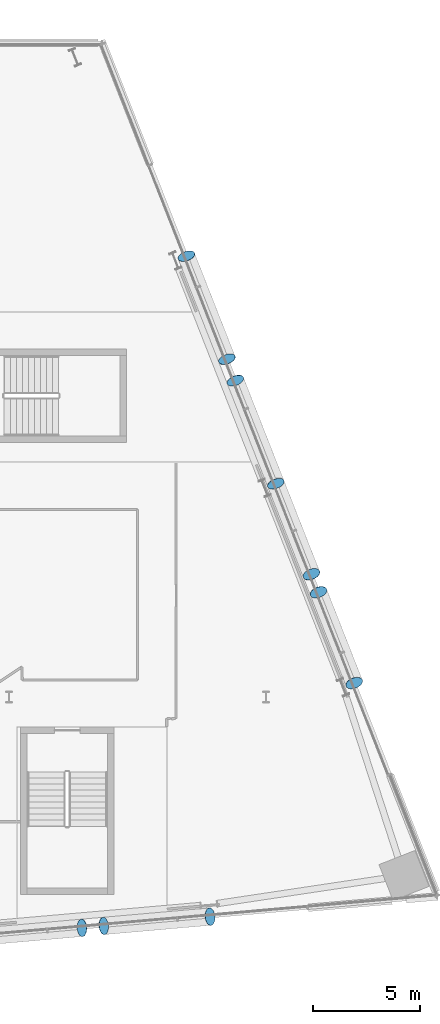
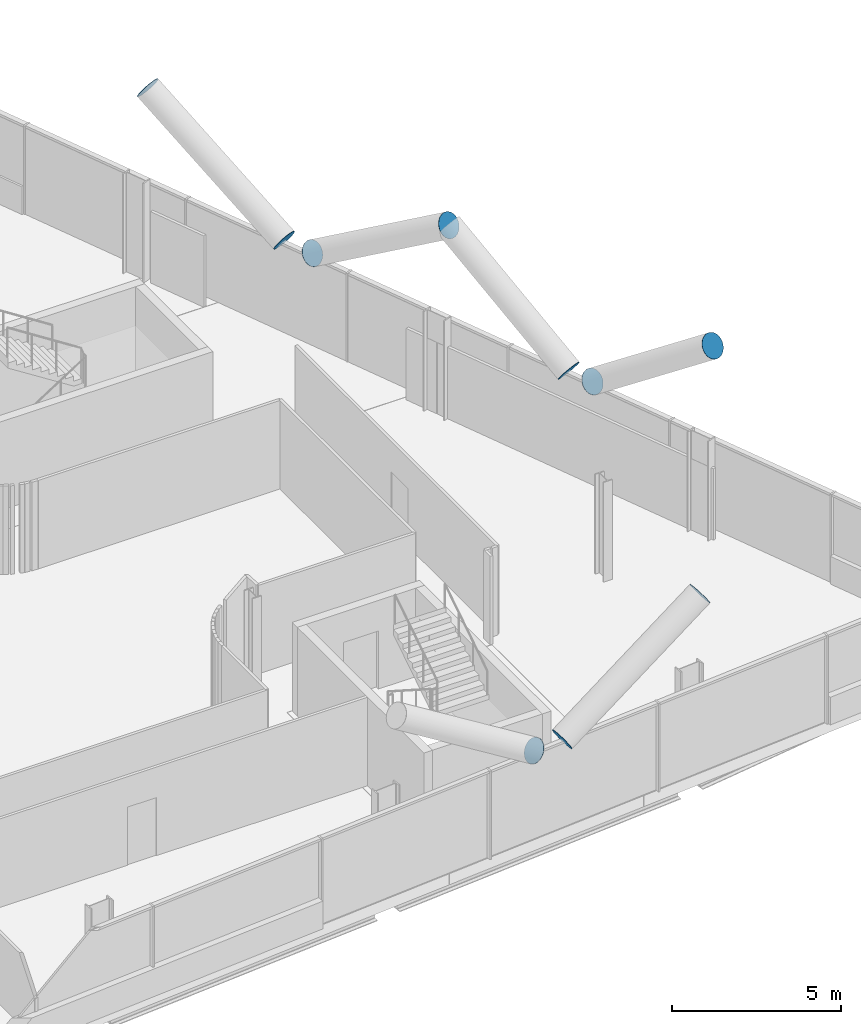
# One storey, part 27 of 31: 10 discrete accessories.
"""IFC4 building model written with IfcOpenShell, lengths in metres."""

import ifcopenshell
import ifcopenshell.guid

model = None  # the IFC model being written
_history = None  # IfcOwnerHistory: only IFC2X3 demands one
_inside = {}  # id of a spatial element -> (the spatial element, [elements in it])
_under = {}  # id of a project, library or spatial element -> (it, [spatial elements below it])
_declared = {}  # id of a project -> (the project, [libraries it declares])
_typed = {}  # id of a type object -> (the type object, [elements of that type])
_made_of = {}  # id of a material, layer set ... -> (it, [elements and type objects made of it])


def new_model(schema):
    """Start an empty IFC model of exactly this schema.

    Asked for "IFC4X3", IfcOpenShell would pick the latest addendum, in which some entities
    have other attributes; the version numbers below select the first issue.
    IFC2X3 requires an IfcOwnerHistory on every rooted entity: one is made here for all.
    """
    global model, _history
    if schema == "IFC4X3":
        model = ifcopenshell.file(schema_version=(4, 3, 0, 0))
    else:
        model = ifcopenshell.file(schema=schema)
    _inside.clear()
    _under.clear()
    _declared.clear()
    _typed.clear()
    _made_of.clear()
    _history = None
    if model.schema == "IFC2X3":
        org = make("IfcOrganization", Name="unknown")
        user = make(
            "IfcPersonAndOrganization",
            ThePerson=make("IfcPerson", FamilyName="unknown"),
            TheOrganization=org,
        )
        app = make(
            "IfcApplication",
            ApplicationDeveloper=org,
            Version="unknown",
            ApplicationFullName="unknown",
            ApplicationIdentifier="unknown",
        )
        _history = make(
            "IfcOwnerHistory",
            OwningUser=user,
            OwningApplication=app,
            ChangeAction="ADDED",
            CreationDate=0,
        )
    return model


def make(cls, **values):
    """One entity of the class cls with the attributes given. An attribute that is None is left unset."""
    return model.create_entity(
        cls, **{name: value for name, value in values.items() if value is not None}
    )


def rooted(cls, **values):
    """An entity with a GlobalId (a new one), such as an element, a storey or a relation."""
    return make(cls, GlobalId=ifcopenshell.guid.new(), OwnerHistory=_history, **values)


def si_unit(unit_type, name, prefix=None):
    """IfcSIUnit, for example si_unit("LENGTHUNIT", "METRE", prefix="MILLI")."""
    return make("IfcSIUnit", UnitType=unit_type, Prefix=prefix, Name=name)


def assignment(units):
    """IfcUnitAssignment: the units of a project."""
    return None if units is None else make("IfcUnitAssignment", Units=units)


def point(xyz):
    """IfcCartesianPoint."""
    return None if xyz is None else make("IfcCartesianPoint", Coordinates=xyz)


def direction(xyz):
    """IfcDirection."""
    return None if xyz is None else make("IfcDirection", DirectionRatios=xyz)


def frame(location, z_axis=None, x_axis=None):
    """IfcAxis2Placement3D, a coordinate frame: its origin and axes. An axis left out is left unset."""
    return make(
        "IfcAxis2Placement3D",
        Location=point(location),
        Axis=direction(z_axis),
        RefDirection=direction(x_axis),
    )


def frame_2d(location, x_axis=None):
    """IfcAxis2Placement2D, a coordinate frame in the plane: its origin and x axis."""
    return make(
        "IfcAxis2Placement2D", Location=point(location), RefDirection=direction(x_axis)
    )


def origin():
    """The frame at (0, 0, 0) with its axes left unset."""
    return frame((0.0, 0.0, 0.0))


def origin_2d():
    """The frame at (0, 0) in the plane with its x axis left unset."""
    return frame_2d((0.0, 0.0))


def place(relative_to, where):
    """IfcLocalPlacement: puts the frame where relative to a parent placement (None: the world)."""
    return make(
        "IfcLocalPlacement", PlacementRelTo=relative_to, RelativePlacement=where
    )


def context(
    kind, dimensions, precision=None, world=None, true_north=None, identifier=None
):
    """IfcGeometricRepresentationContext, for example the 3D "Model" context."""
    return make(
        "IfcGeometricRepresentationContext",
        ContextIdentifier=identifier,
        ContextType=kind,
        CoordinateSpaceDimension=dimensions,
        Precision=precision,
        WorldCoordinateSystem=world,
        TrueNorth=true_north,
    )


def subcontext(parent, identifier, kind, view, scale=None):
    """IfcGeometricRepresentationSubContext, for example "Body" below "Model"."""
    return make(
        "IfcGeometricRepresentationSubContext",
        ContextIdentifier=identifier,
        ContextType=kind,
        ParentContext=parent,
        TargetScale=scale,
        TargetView=view,
    )


def project(units=None, contexts=None):
    """IfcProject with its units and contexts."""
    return rooted(
        "IfcProject",
        Name="project",
        RepresentationContexts=contexts,
        UnitsInContext=assignment(units),
    )


def spatial(cls, under=None, at=None, **own):
    """A site, building, storey or space (cls), placed at a placement, below another one or the project."""
    s = rooted(cls, ObjectPlacement=at, **own)
    if under is not None:
        _under.setdefault(under.id(), (under, []))[1].append(s)
    return s


def profile(cls, at=None, kind="AREA", **sizes):
    """A parametric profile (cls). Its sizes go by their IFC names, for example OverallWidth=200.0."""
    return make(cls, ProfileType=kind, Position=at, **sizes)


def circle(**sizes):
    """IfcCircleProfileDef."""
    return profile("IfcCircleProfileDef", **sizes)


def extrude(swept, where, along, depth):
    """IfcExtrudedAreaSolid: the profile swept, set in the frame where, extruded along a direction by depth."""
    return make(
        "IfcExtrudedAreaSolid",
        SweptArea=swept,
        Position=where,
        ExtrudedDirection=direction(along),
        Depth=depth,
    )


def shape(context_of_items, identifier, shape_type, items):
    """IfcShapeRepresentation: the items that make up one representation, for example the "Body"."""
    return make(
        "IfcShapeRepresentation",
        ContextOfItems=context_of_items,
        RepresentationIdentifier=identifier,
        RepresentationType=shape_type,
        Items=items,
    )


def material(Name=None, Category=None):
    """IfcMaterial."""
    return make("IfcMaterial", Name=Name, Category=Category)


def material_profile(
    of_material, cross_section, Name=None, Category=None, Priority=None
):
    """IfcMaterialProfile: a cross section and its material."""
    return make(
        "IfcMaterialProfile",
        Name=Name,
        Material=of_material,
        Profile=cross_section,
        Priority=Priority,
        Category=Category,
    )


def profile_set(profiles, Name=None, composite=None):
    """IfcMaterialProfileSet."""
    return make(
        "IfcMaterialProfileSet",
        Name=Name,
        MaterialProfiles=profiles,
        CompositeProfile=composite,
    )


def made_of(thing, what):
    """Note that an element or type object is made of a material, layer set ...; save() writes the relation."""
    if what is not None:
        _made_of.setdefault(what.id(), (what, []))[1].append(thing)
    return thing


def type_object(cls, material=None, **own):
    """A type object (cls), such as IfcWallType, which elements share."""
    return made_of(rooted(cls, **own), material)


def element(
    cls,
    number,
    at=None,
    inside=None,
    cuts=None,
    type_object=None,
    material=None,
    context=None,
    identifier="Body",
    shape_type=None,
    held_by="IfcProductDefinitionShape",
    body=None,
    shapes=None,
    **own,
):
    """One element of the class cls, such as IfcWall. Its Tag is "e" and its number.

    at: its placement. inside: the storey or other place that contains it. cuts: it is an
    opening in that element (IfcRelVoidsElement). A single representation is given by context,
    identifier, shape_type and body (its items); several are given by shapes. held_by: the class
    of the entity that holds the representations. save() writes the other relations.
    """
    e = rooted(cls, Tag="e%d" % number, ObjectPlacement=at, **own)
    if body is not None:
        shapes = [shape(context, identifier, shape_type, body)]
    if shapes is not None:
        e.Representation = make(held_by, Representations=shapes)
    if inside is not None:
        _inside.setdefault(inside.id(), (inside, []))[1].append(e)
    if cuts is not None:
        rooted(
            "IfcRelVoidsElement", RelatingBuildingElement=cuts, RelatedOpeningElement=e
        )
    if type_object is not None:
        _typed.setdefault(type_object.id(), (type_object, []))[1].append(e)
    return made_of(e, material)


def aggregate(whole, parts):
    """IfcRelAggregates: a whole, such as a stair, and the parts it consists of."""
    return rooted("IfcRelAggregates", RelatingObject=whole, RelatedObjects=parts)


def save(model, path):
    """Write the relations noted so far, then the file.

    IfcRelAggregates (storeys below a building ...), IfcRelContainedInSpatialStructure (elements
    in a storey), IfcRelDefinesByType, IfcRelAssociatesMaterial and IfcRelDeclares: one each for
    every whole, place, type object, material and project.
    """
    for whole, parts in _under.values():
        aggregate(whole, parts)
    for where, things in _inside.values():
        rooted(
            "IfcRelContainedInSpatialStructure",
            RelatedElements=things,
            RelatingStructure=where,
        )
    for kind, things in _typed.values():
        rooted("IfcRelDefinesByType", RelatedObjects=things, RelatingType=kind)
    for what, things in _made_of.values():
        rooted("IfcRelAssociatesMaterial", RelatedObjects=things, RelatingMaterial=what)
    for by, libraries in _declared.values():
        rooted("IfcRelDeclares", RelatingContext=by, RelatedDefinitions=libraries)
    model.write(path)


model = new_model("IFC4")

# Units and contexts
model_context = context("Model", 3, precision=1e-05, world=origin(), true_north=direction((0.0, 1.0)))
body_context = subcontext(model_context, "Body", "Model", "MODEL_VIEW")
ifc_project = project(units=[si_unit("LENGTHUNIT", "METRE"), si_unit("AREAUNIT", "SQUARE_METRE"), si_unit("VOLUMEUNIT", "CUBIC_METRE"), si_unit("PLANEANGLEUNIT", "RADIAN"), si_unit("MASSUNIT", "GRAM", prefix="KILO")], contexts=[model_context])

# Site, building, storey
site_placement = place(None, origin())
site = spatial("IfcSite", under=ifc_project, at=site_placement, CompositionType="ELEMENT")
building_placement = place(site_placement, origin())
building = spatial("IfcBuilding", under=site, at=building_placement, Name="Wharfspan Tower", CompositionType="ELEMENT")
storey_placement = place(building_placement, frame((0.0, 0.0, 103.899902)))
storey = spatial("IfcBuildingStorey", under=building, at=storey_placement, Name="L23", CompositionType="ELEMENT", Elevation=103.899902)

# Discrete accessories
ifc_material = material(Name="Steel S460NH", Category="steel")
ifc_material_profile = material_profile(ifc_material, circle(Radius=0.406494, at=origin_2d()))
ifc_profile_set = profile_set([ifc_material_profile], Name="Steel S460NH")
discrete_accessory_type = type_object("IfcDiscreteAccessoryType", Name="End plate CHS 813x40", PredefinedType="BRACKET", material=ifc_profile_set)
for number, where, z_axis, x_axis, name in (
    (1, (76.418457, 0.821777, 3.232422), (0.844416, 0.072379, 0.530776), (-0.085402, 0.99635, 0.0), "End plate CHS 813x40"),
    (2, (81.376221, 1.255371, 6.5), (0.82608, 0.072889, 0.558819), (-0.087894, 0.99613, 1e-06), "End plate CHS 813x40"),
    (3, (75.410156, 0.733398, 3.232422), (-0.838548, -0.049326, 0.54259), (0.058722, -0.99827, 1e-06), "End plate CHS 813x40"),
    (4, (82.171143, 27.249756, 3.236328), (-0.289598, 0.796395, 0.53093), (-0.939792, -0.341743, 1e-06), "End plate CHS 813x40"),
    (5, (80.282471, 32.05542, 6.5), (-0.289598, 0.796395, 0.53093), (-0.939792, -0.341743, 1e-06), "End plate CHS 813x40"),
    (6, (82.560303, 26.259521, 3.236328), (0.317451, -0.781418, 0.537225), (0.92647, 0.376377, -2e-06), "End plate CHS 813x40"),
):
    element("IfcDiscreteAccessory", number, at=place(storey_placement, frame(where, z_axis=z_axis, x_axis=x_axis)), inside=storey, type_object=discrete_accessory_type, Name=name, PredefinedType="BRACKET", context=body_context, shape_type="SweptSolid", body=[
        extrude(circle(Radius=0.406494, at=origin_2d()), origin(), (0.0, 0.0, 1.0), 0.01001),
    ])
discrete_accessory_placement = place(storey_placement, frame((84.448975, 21.454102, 6.5), z_axis=(0.311472, -0.79066, 0.527107), x_axis=(0.93041, 0.366525, 0.0)))
element("IfcDiscreteAccessory", 7, at=discrete_accessory_placement, inside=storey, type_object=discrete_accessory_type, Name="End plate CHS 813x40", PredefinedType="BRACKET", context=body_context, shape_type="SweptSolid", body=[
    extrude(circle(Radius=0.406494, at=origin_2d()), origin(), (0.0, 0.0, 1.0), 0.010254),
])
for number, where, z_axis, x_axis, name in (
    (8, (86.112793, 17.220459, 3.221924), (-0.292683, 0.756098, 0.585366), (-0.932565, -0.360992, -1e-06), "End plate CHS 813x40"),
    (9, (86.439697, 16.388916, 3.221924), (0.292683, -0.756098, 0.585366), (0.932565, 0.360992, -1e-06), "End plate CHS 813x40"),
    (10, (88.103516, 12.155518, 6.5), (0.292683, -0.756098, 0.585366), (0.932565, 0.360992, -1e-06), "End plate CHS 813x40"),
):
    element("IfcDiscreteAccessory", number, at=place(storey_placement, frame(where, z_axis=z_axis, x_axis=x_axis)), inside=storey, type_object=discrete_accessory_type, Name=name, PredefinedType="BRACKET", context=body_context, shape_type="SweptSolid", body=[
        extrude(circle(Radius=0.406494, at=origin_2d()), origin(), (0.0, 0.0, 1.0), 0.01001),
    ])

save(model, "model.ifc")
